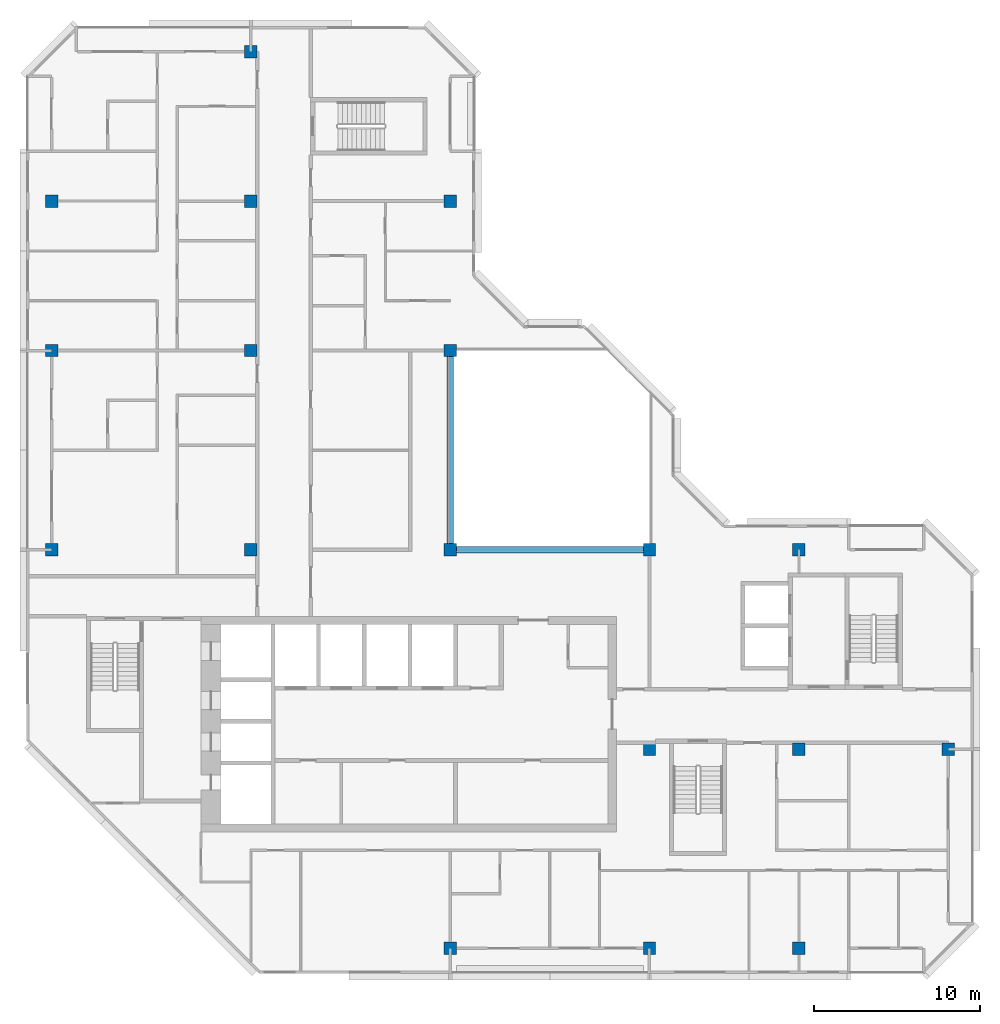
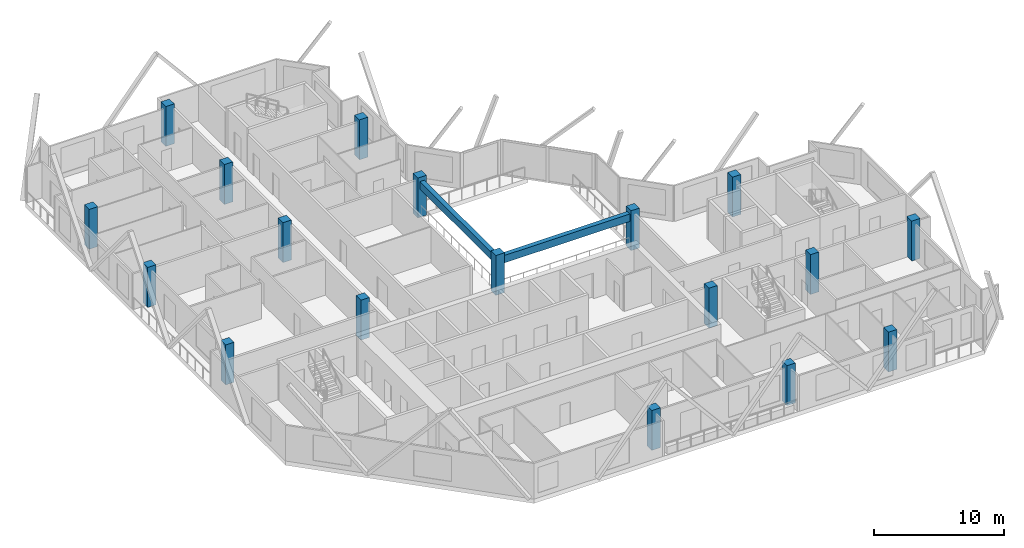
# One storey, part 1 of 12: 18 columns, 2 beams.
"""IFC4 building model written with IfcOpenShell, lengths in metres."""

from ifc_helpers import new_model, si_unit, direction, frame, origin, origin_2d, place, context, subcontext, project, spatial, rectangle, extrude, material, material_profile, profile_set, type_object, element, save


model = new_model("IFC4")

# Units and contexts
model_context = context("Model", 3, precision=1e-05, world=origin(), true_north=direction((0.0, 1.0)))
body_context = subcontext(model_context, "Body", "Model", "MODEL_VIEW")
ifc_project = project(units=[si_unit("LENGTHUNIT", "METRE"), si_unit("AREAUNIT", "SQUARE_METRE"), si_unit("VOLUMEUNIT", "CUBIC_METRE"), si_unit("PLANEANGLEUNIT", "RADIAN"), si_unit("MASSUNIT", "GRAM", prefix="KILO")], contexts=[model_context])

# Site, building, storey
site_placement = place(None, origin())
site = spatial("IfcSite", under=ifc_project, at=site_placement, CompositionType="ELEMENT")
building_placement = place(site_placement, origin())
building = spatial("IfcBuilding", under=site, at=building_placement, Name="Chenar Terraces", CompositionType="ELEMENT")
storey_placement = place(building_placement, frame((0.0, 0.0, 338.89990234375)))
storey = spatial("IfcBuildingStorey", under=building, at=storey_placement, Name="L78", CompositionType="ELEMENT", Elevation=338.89990234375)

# Columns
ifc_material_1 = material(Name="Concrete C50/60", Category="concrete")
ifc_material_profile_1 = material_profile(ifc_material_1, rectangle(XDim=0.75, YDim=0.75, at=origin_2d()), Name="C 750 x 750")
ifc_profile_set_1 = profile_set([ifc_material_profile_1], Name="Concrete C50/60")
column_type = type_object("IfcColumnType", Name="Column C 750 x 750 Concrete C50/60", PredefinedType="COLUMN", material=ifc_profile_set_1)
column_1_placement = place(storey_placement, frame((0.0, 24.0, 0.0), z_axis=(0.0, 0.0, 1.0), x_axis=(1.0, 0.0, 0.0)))
element("IfcColumn", 1, at=column_1_placement, inside=storey, type_object=column_type, Name="Column 5/G L78", PredefinedType="COLUMN", context=body_context, shape_type="SweptSolid", body=[
    extrude(rectangle(XDim=0.75, YDim=0.75, at=origin_2d()), origin(), (0.0, 0.0, 1.0), 3.75),
])
column_2_placement = place(storey_placement, frame((0.0, 36.0, 0.0), z_axis=(0.0, 0.0, 1.0), x_axis=(1.0, 0.0, 0.0)))
element("IfcColumn", 2, at=column_2_placement, inside=storey, type_object=column_type, Name="Column 5/H L78", PredefinedType="COLUMN", context=body_context, shape_type="SweptSolid", body=[
    extrude(rectangle(XDim=0.75, YDim=0.75, at=origin_2d()), origin(), (0.0, 0.0, 1.0), 3.75),
])
column_3_placement = place(storey_placement, frame((0.0, 45.0, 0.0), z_axis=(0.0, 0.0, 1.0), x_axis=(1.0, 0.0, 0.0)))
element("IfcColumn", 3, at=column_3_placement, inside=storey, type_object=column_type, Name="Column 5/J L78", PredefinedType="COLUMN", context=body_context, shape_type="SweptSolid", body=[
    extrude(rectangle(XDim=0.75, YDim=0.75, at=origin_2d()), origin(), (0.0, 0.0, 1.0), 3.75),
])
for number, where, z_axis, x_axis, name in (
    (4, (12.0, 24.0, 0.0), (0.0, 0.0, 1.0), (1.0, 0.0, 0.0), "Column 6/G L78"),
    (5, (12.0, 36.0, 0.0), (0.0, 0.0, 1.0), (1.0, 0.0, 0.0), "Column 6/H L78"),
    (6, (12.0, 45.0, 0.0), (0.0, 0.0, 1.0), (1.0, 0.0, 0.0), "Column 6/J L78"),
    (7, (12.0, 54.0, 0.0), (0.0, 0.0, 1.0), (1.0, 0.0, 0.0), "Column 6/K L78"),
    (8, (24.0, 0.0, 0.0), (0.0, 0.0, 1.0), (1.0, 0.0, 0.0), "Column 7/E L78"),
    (9, (24.0, 24.0, 0.0), (0.0, 0.0, 1.0), (1.0, 0.0, 0.0), "Column 7/G L78"),
    (10, (24.0, 36.0, 0.0), (0.0, 0.0, 1.0), (1.0, 0.0, 0.0), "Column 7/H L78"),
    (11, (24.0, 45.0, 0.0), (0.0, 0.0, 1.0), (1.0, 0.0, 0.0), "Column 7/J L78"),
    (12, (36.0, 0.0, 0.0), (0.0, 0.0, 1.0), (1.0, 0.0, 0.0), "Column 8/E L78"),
    (13, (36.0, 12.0, 0.0), (0.0, 0.0, 1.0), (1.0, 0.0, 0.0), "Column 8/F L78"),
    (14, (36.0, 24.0, 0.0), (0.0, 0.0, 1.0), (1.0, 0.0, 0.0), "Column 8/G L78"),
    (15, (45.0, 0.0, 0.0), (0.0, 0.0, 1.0), (1.0, 0.0, 0.0), "Column 9/E L78"),
    (16, (45.0, 12.0, 0.0), (0.0, 0.0, 1.0), (1.0, 0.0, 0.0), "Column 9/F L78"),
    (17, (45.0, 24.0, 0.0), (0.0, 0.0, 1.0), (1.0, 0.0, 0.0), "Column 9/G L78"),
    (18, (54.0, 12.0, 0.0), (0.0, 0.0, 1.0), (1.0, 0.0, 0.0), "Column 10/F L78"),
):
    element("IfcColumn", number, at=place(storey_placement, frame(where, z_axis=z_axis, x_axis=x_axis)), inside=storey, type_object=column_type, Name=name, PredefinedType="COLUMN", context=body_context, shape_type="SweptSolid", body=[
        extrude(rectangle(XDim=0.75, YDim=0.75, at=origin_2d()), origin(), (0.0, 0.0, 1.0), 3.75),
    ])

# Beams
ifc_material_2 = material(Name="Concrete C40/50", Category="concrete")
ifc_material_profile_2 = material_profile(ifc_material_2, rectangle(XDim=0.39990234375, YDim=0.699951171875, at=origin_2d()), Name="RC 400 x 700")
ifc_profile_set_2 = profile_set([ifc_material_profile_2], Name="Concrete C40/50")
beam_type = type_object("IfcBeamType", Name="Atrium edge beam 400 x 700 Concrete C40/50", PredefinedType="BEAM", material=ifc_profile_set_2)
for number, where, z_axis, x_axis, name in (
    (19, (24.375, 24.0, 3.0), (1.0, 0.0, 0.0), (0.0, 1.0, 0.0), "Atrium edge beam L79 1"),
    (20, (24.0, 35.625, 3.0), (0.0, -1.0, 0.0), (1.0, 0.0, 0.0), "Atrium edge beam L79 4"),
):
    element("IfcBeam", number, at=place(storey_placement, frame(where, z_axis=z_axis, x_axis=x_axis)), inside=storey, type_object=beam_type, Name=name, PredefinedType="BEAM", context=body_context, shape_type="SweptSolid", body=[
        extrude(rectangle(XDim=0.39990234375, YDim=0.699951171875, at=origin_2d()), origin(), (0.0, 0.0, 1.0), 11.25),
    ])

save(model, "model.ifc")
